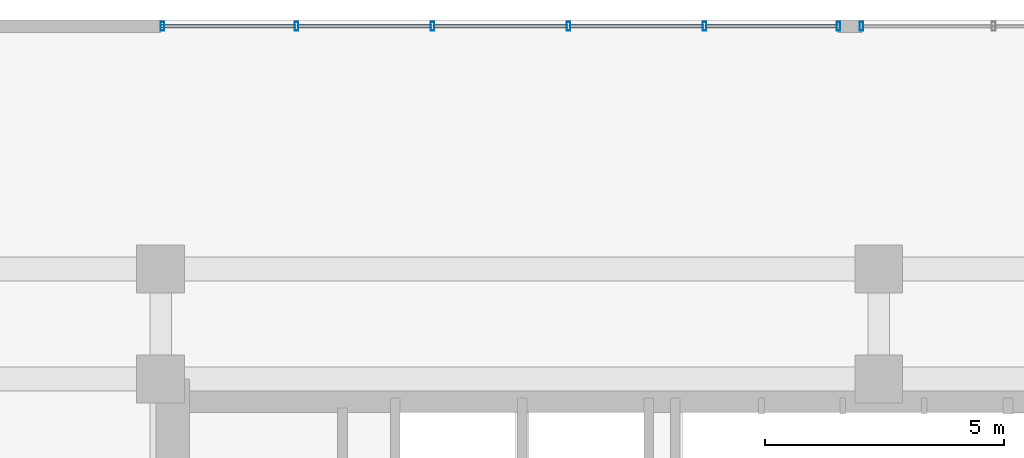
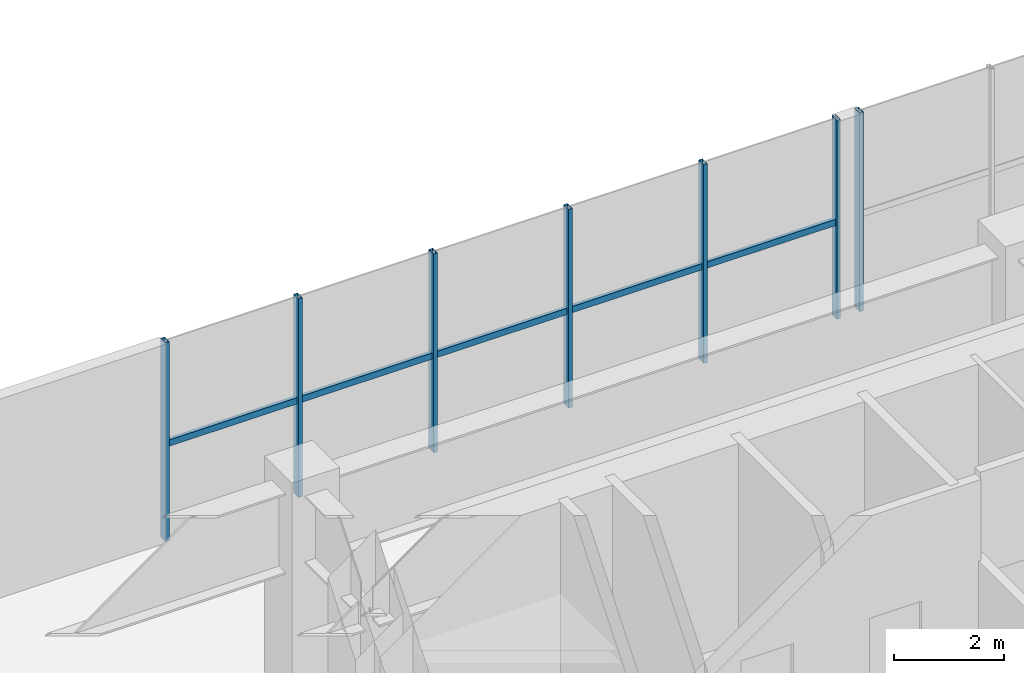
# One storey, part 4 of 17: 12 members, 2 elements without a shape of their own.
"""IFC4 building model written with IfcOpenShell, lengths in metres."""

from ifc_helpers import new_model, si_unit, direction, frame, origin, origin_2d, place, context, subcontext, project, spatial, hollow_rectangle, extrude, source, transform, mapped, material, material_profile, profile_set, type_object, element, aggregate, save


model = new_model("IFC4")

# Units and contexts
model_context = context("Model", 3, precision=1e-05, world=origin(), true_north=direction((0.0, 1.0)))
body_context = subcontext(model_context, "Body", "Model", "MODEL_VIEW")
ifc_project = project(units=[si_unit("LENGTHUNIT", "METRE"), si_unit("AREAUNIT", "SQUARE_METRE"), si_unit("VOLUMEUNIT", "CUBIC_METRE"), si_unit("PLANEANGLEUNIT", "RADIAN"), si_unit("MASSUNIT", "GRAM", prefix="KILO")], contexts=[model_context])

# Site, building, storey
site_placement = place(None, origin())
site = spatial("IfcSite", under=ifc_project, at=site_placement, CompositionType="ELEMENT")
building_placement = place(site_placement, origin())
building = spatial("IfcBuilding", under=site, at=building_placement, Name="Trelvane Seafront Commons", CompositionType="ELEMENT")
storey_placement = place(building_placement, frame((0.0, 0.0, 18.699951171875)))
storey = spatial("IfcBuildingStorey", under=building, at=storey_placement, Name="L04", CompositionType="ELEMENT", Elevation=18.699951171875)

# Curtain wall, members
ifc_material = material(Name="Anodised pale-silver aluminium", Category="aluminium")
curtain_wall_type = type_object("IfcCurtainWallType", Name="ARCH-CW1-PODIUM", PredefinedType="NOTDEFINED", material=ifc_material)
curtain_wall_1_placement = place(storey_placement, origin())
curtain_wall_1 = element("IfcCurtainWall", 1, at=curtain_wall_1_placement, inside=storey, type_object=curtain_wall_type, Name="CW-L04-0025", PredefinedType="NOTDEFINED")
ifc_material_profile_1 = material_profile(ifc_material, hollow_rectangle(XDim=0.074951171875, YDim=0.139892578125, WallThickness=0.00390625, at=origin_2d()), Name="TRAN-75x140x4")
ifc_profile_set_1 = profile_set([ifc_material_profile_1], Name="Anodised pale-silver aluminium")
member_type_1 = type_object("IfcMemberType", Name="ARCH-CW-TRAN-140", PredefinedType="USERDEFINED", material=ifc_profile_set_1)
shared_shape_1 = source(origin(), body_context, "Body", "SweptSolid", [
    extrude(hollow_rectangle(XDim=0.074951171875, YDim=0.139892578125, WallThickness=0.00390625, at=origin_2d()), origin(), (0.0, 0.0, 1.0), 2.81591796875),
])
member_1_placement = place(storey_placement, frame((15.612060546875, 52.469970703125, 2.1220703125), z_axis=(1.0, 0.0, 0.0), x_axis=(0.0, 1.0, 0.0)))
member_1 = element("IfcMember", 2, at=member_1_placement, type_object=member_type_1, Name="CW-L04-0025-T00", ObjectType="TRANSOM", PredefinedType="USERDEFINED", context=body_context, shape_type="MappedRepresentation", body=[
    mapped(shared_shape_1, transform((0.0, 0.0, 0.0), x_axis=(1.0, 0.0, 0.0), y_axis=(0.0, 1.0, 0.0), z_axis=(0.0, 0.0, 1.0), scale=1.0)),
])
member_2_placement = place(storey_placement, frame((21.2919921875, 52.469970703125, 2.1220703125), z_axis=(1.0, 0.0, 0.0), x_axis=(0.0, 1.0, 0.0)))
member_2 = element("IfcMember", 3, at=member_2_placement, type_object=member_type_1, Name="CW-L04-0025-T02", ObjectType="TRANSOM", PredefinedType="USERDEFINED", context=body_context, shape_type="MappedRepresentation", body=[
    mapped(shared_shape_1, transform((0.0, 0.0, 0.0), x_axis=(1.0, 0.0, 0.0), y_axis=(0.0, 1.0, 0.0), z_axis=(0.0, 0.0, 1.0), scale=1.0)),
])
member_3_placement = place(storey_placement, frame((24.132080078125, 52.469970703125, 2.1220703125), z_axis=(1.0, 0.0, 0.0), x_axis=(0.0, 1.0, 0.0)))
member_3 = element("IfcMember", 4, at=member_3_placement, type_object=member_type_1, Name="CW-L04-0025-T03", ObjectType="TRANSOM", PredefinedType="USERDEFINED", context=body_context, shape_type="MappedRepresentation", body=[
    mapped(shared_shape_1, transform((0.0, 0.0, 0.0), x_axis=(1.0, 0.0, 0.0), y_axis=(0.0, 1.0, 0.0), z_axis=(0.0, 0.0, 1.0), scale=1.0)),
])
shared_shape_2 = source(origin(), body_context, "Body", "SweptSolid", [
    extrude(hollow_rectangle(XDim=0.074951171875, YDim=0.139892578125, WallThickness=0.00390625, at=origin_2d()), origin(), (0.0, 0.0, 1.0), 2.816162109375),
])
member_4_placement = place(storey_placement, frame((18.451904296875, 52.469970703125, 2.1220703125), z_axis=(1.0, 0.0, 0.0), x_axis=(0.0, 1.0, 0.0)))
member_4 = element("IfcMember", 5, at=member_4_placement, type_object=member_type_1, Name="CW-L04-0025-T01", ObjectType="TRANSOM", PredefinedType="USERDEFINED", context=body_context, shape_type="MappedRepresentation", body=[
    mapped(shared_shape_2, transform((0.0, 0.0, 0.0), x_axis=(1.0, 0.0, 0.0), y_axis=(0.0, 1.0, 0.0), z_axis=(0.0, 0.0, 1.0), scale=1.0)),
])
member_5_placement = place(storey_placement, frame((26.971923828125, 52.469970703125, 2.1220703125), z_axis=(1.0, 0.0, 0.0), x_axis=(0.0, 1.0, 0.0)))
member_5 = element("IfcMember", 6, at=member_5_placement, type_object=member_type_1, Name="CW-L04-0025-T04", ObjectType="TRANSOM", PredefinedType="USERDEFINED", context=body_context, shape_type="MappedRepresentation", body=[
    mapped(shared_shape_2, transform((0.0, 0.0, 0.0), x_axis=(1.0, 0.0, 0.0), y_axis=(0.0, 1.0, 0.0), z_axis=(0.0, 0.0, 1.0), scale=1.0)),
])
ifc_material_profile_2 = material_profile(ifc_material, hollow_rectangle(XDim=0.080078125, YDim=0.179931640625, WallThickness=0.00439453125, at=origin_2d()), Name="MULL-80x180x4.5")
ifc_profile_set_2 = profile_set([ifc_material_profile_2], Name="Anodised pale-silver aluminium")
member_type_2 = type_object("IfcMemberType", Name="ARCH-CW-MULL-180", PredefinedType="MULLION", material=ifc_profile_set_2)
shared_shape_3 = source(origin(), body_context, "Body", "SweptSolid", [
    extrude(hollow_rectangle(XDim=0.080078125, YDim=0.179931640625, WallThickness=0.00439453125, at=origin_2d()), origin(), (0.0, 0.0, 1.0), 4.420166015625),
])
member_6_placement = place(storey_placement, frame((15.639892578125, 52.469970703125, 0.0), z_axis=(0.0, 0.0, 1.0), x_axis=(1.0, 0.0, 0.0)))
member_6 = element("IfcMember", 7, at=member_6_placement, type_object=member_type_2, Name="CW-L04-0025-M00", PredefinedType="MULLION", context=body_context, shape_type="MappedRepresentation", body=[
    mapped(shared_shape_3, transform((0.0, 0.0, 0.0), x_axis=(1.0, 0.0, 0.0), y_axis=(0.0, 1.0, 0.0), z_axis=(0.0, 0.0, 1.0), scale=1.0)),
])
member_7_placement = place(storey_placement, frame((18.43994140625, 52.469970703125, 0.0), z_axis=(0.0, 0.0, 1.0), x_axis=(1.0, 0.0, 0.0)))
member_7 = element("IfcMember", 8, at=member_7_placement, type_object=member_type_2, Name="CW-L04-0025-M01", PredefinedType="MULLION", context=body_context, shape_type="MappedRepresentation", body=[
    mapped(shared_shape_3, transform((0.0, 0.0, 0.0), x_axis=(1.0, 0.0, 0.0), y_axis=(0.0, 1.0, 0.0), z_axis=(0.0, 0.0, 1.0), scale=1.0)),
])
member_8_placement = place(storey_placement, frame((21.280029296875, 52.469970703125, 0.0), z_axis=(0.0, 0.0, 1.0), x_axis=(1.0, 0.0, 0.0)))
member_8 = element("IfcMember", 9, at=member_8_placement, type_object=member_type_2, Name="CW-L04-0025-M02", PredefinedType="MULLION", context=body_context, shape_type="MappedRepresentation", body=[
    mapped(shared_shape_3, transform((0.0, 0.0, 0.0), x_axis=(1.0, 0.0, 0.0), y_axis=(0.0, 1.0, 0.0), z_axis=(0.0, 0.0, 1.0), scale=1.0)),
])
member_9_placement = place(storey_placement, frame((24.1201171875, 52.469970703125, 0.0), z_axis=(0.0, 0.0, 1.0), x_axis=(1.0, 0.0, 0.0)))
member_9 = element("IfcMember", 10, at=member_9_placement, type_object=member_type_2, Name="CW-L04-0025-M03", PredefinedType="MULLION", context=body_context, shape_type="MappedRepresentation", body=[
    mapped(shared_shape_3, transform((0.0, 0.0, 0.0), x_axis=(1.0, 0.0, 0.0), y_axis=(0.0, 1.0, 0.0), z_axis=(0.0, 0.0, 1.0), scale=1.0)),
])
member_10_placement = place(storey_placement, frame((26.9599609375, 52.469970703125, 0.0), z_axis=(0.0, 0.0, 1.0), x_axis=(1.0, 0.0, 0.0)))
member_10 = element("IfcMember", 11, at=member_10_placement, type_object=member_type_2, Name="CW-L04-0025-M04", PredefinedType="MULLION", context=body_context, shape_type="MappedRepresentation", body=[
    mapped(shared_shape_3, transform((0.0, 0.0, 0.0), x_axis=(1.0, 0.0, 0.0), y_axis=(0.0, 1.0, 0.0), z_axis=(0.0, 0.0, 1.0), scale=1.0)),
])
member_11_placement = place(storey_placement, frame((29.760009765625, 52.469970703125, 0.0), z_axis=(0.0, 0.0, 1.0), x_axis=(1.0, 0.0, 0.0)))
member_11 = element("IfcMember", 12, at=member_11_placement, type_object=member_type_2, Name="CW-L04-0025-M05", PredefinedType="MULLION", context=body_context, shape_type="MappedRepresentation", body=[
    mapped(shared_shape_3, transform((0.0, 0.0, 0.0), x_axis=(1.0, 0.0, 0.0), y_axis=(0.0, 1.0, 0.0), z_axis=(0.0, 0.0, 1.0), scale=1.0)),
])
aggregate(curtain_wall_1, [member_6, member_7, member_8, member_9, member_10, member_11, member_1, member_4, member_2, member_3, member_5])

# Curtain wall, member
curtain_wall_2_placement = place(storey_placement, origin())
curtain_wall_2 = element("IfcCurtainWall", 13, at=curtain_wall_2_placement, inside=storey, type_object=curtain_wall_type, Name="CW-L04-0026", PredefinedType="NOTDEFINED")
member_12_placement = place(storey_placement, frame((30.239990234375, 52.469970703125, 0.0), z_axis=(0.0, 0.0, 1.0), x_axis=(1.0, 0.0, 0.0)))
member_12 = element("IfcMember", 14, at=member_12_placement, type_object=member_type_2, Name="CW-L04-0026-M00", PredefinedType="MULLION", context=body_context, shape_type="MappedRepresentation", body=[
    mapped(shared_shape_3, transform((0.0, 0.0, 0.0), x_axis=(1.0, 0.0, 0.0), y_axis=(0.0, 1.0, 0.0), z_axis=(0.0, 0.0, 1.0), scale=1.0)),
])
aggregate(curtain_wall_2, [member_12])

save(model, "model.ifc")
